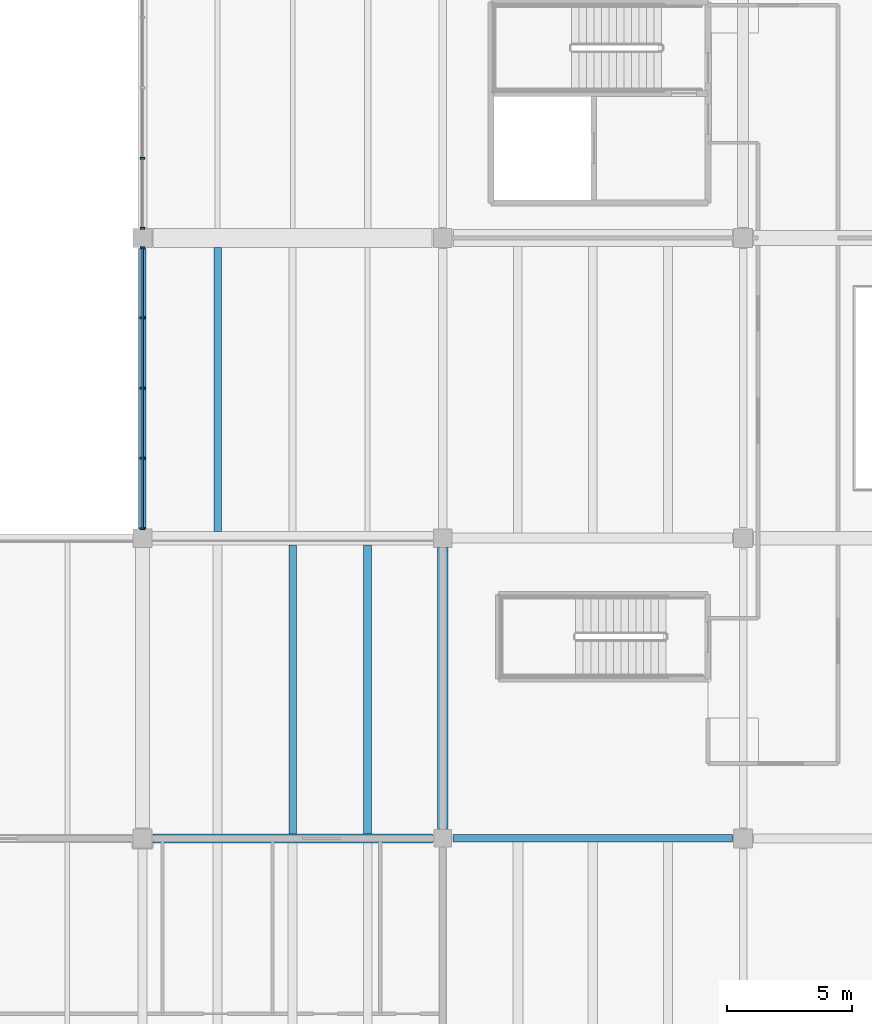
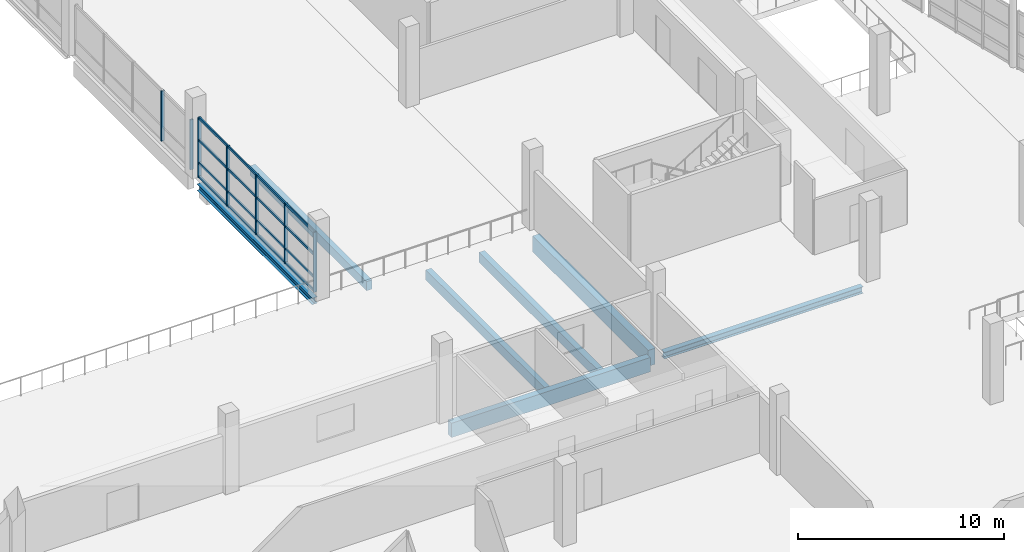
# One storey, part 37 of 112: 11 members, 7 beams, 2 elements without a shape of their own.
"""IFC4 building model written with IfcOpenShell, lengths in metres."""

from ifc_helpers import new_model, si_unit, direction, frame, origin, origin_2d, place, context, subcontext, project, spatial, rectangle, i_section, extrude, material, material_profile, profile_set, type_object, element, aggregate, save


model = new_model("IFC4")

# Units and contexts
model_context = context("Model", 3, precision=1e-05, world=origin(), true_north=direction((0.0, 1.0)))
body_context = subcontext(model_context, "Body", "Model", "MODEL_VIEW")
ifc_project = project(units=[si_unit("LENGTHUNIT", "METRE"), si_unit("AREAUNIT", "SQUARE_METRE"), si_unit("VOLUMEUNIT", "CUBIC_METRE"), si_unit("PLANEANGLEUNIT", "RADIAN"), si_unit("MASSUNIT", "GRAM", prefix="KILO")], contexts=[model_context])

# Site, building, storey
site_placement = place(None, origin())
site = spatial("IfcSite", under=ifc_project, at=site_placement, CompositionType="ELEMENT")
building_placement = place(site_placement, origin())
building = spatial("IfcBuilding", under=site, at=building_placement, Name="Kamomehara Wholesale Market", CompositionType="ELEMENT")
storey_placement = place(building_placement, frame((0.0, 0.0, 6.60009765625)))
storey = spatial("IfcBuildingStorey", under=building, at=storey_placement, Name="L01", CompositionType="ELEMENT", Elevation=6.60009765625)

# Beams
ifc_material_1 = material(Name="Precast concrete Fc45 (C40/50)", Category="concrete")
ifc_material_profile_1 = material_profile(ifc_material_1, rectangle(XDim=0.300048828125, YDim=0.550048828125, at=origin_2d()), Name="PC-JST-300x550")
ifc_profile_set_1 = profile_set([ifc_material_profile_1], Name="Precast concrete Fc45 (C40/50)")
beam_type_1 = type_object("IfcBeamType", Name="BM-PJ550", PredefinedType="JOIST", material=ifc_profile_set_1)
beam_1_placement = place(storey_placement, frame((159.0, 60.27490234375, -0.607177734375), z_axis=(0.0, 1.0, 0.0), x_axis=(-1.0, 0.0, 0.0)))
element("IfcBeam", 1, at=beam_1_placement, inside=storey, type_object=beam_type_1, Name="Beam PJ-06 L01", PredefinedType="JOIST", context=body_context, shape_type="SweptSolid", body=[
    extrude(rectangle(XDim=0.300048828125, YDim=0.550048828125, at=origin_2d()), origin(), (0.0, 0.0, 1.0), 11.35009765625),
])
ifc_material_2 = material(Name="Precast concrete Fc45 (C40/50)", Category="concrete")
ifc_material_profile_2 = material_profile(ifc_material_2, rectangle(XDim=0.320068359375, YDim=0.60009765625, at=origin_2d()), Name="PC-JST-320x600")
ifc_profile_set_2 = profile_set([ifc_material_profile_2], Name="Precast concrete Fc45 (C40/50)")
beam_type_2 = type_object("IfcBeamType", Name="BM-PJ600", PredefinedType="JOIST", material=ifc_profile_set_2)
beam_2_placement = place(storey_placement, frame((165.0, 48.175048828125, -0.647216796875), z_axis=(0.0, 1.0, 0.0), x_axis=(-1.0, 0.0, 0.0)))
element("IfcBeam", 2, at=beam_2_placement, inside=storey, type_object=beam_type_2, Name="Beam PJ-05 L01", PredefinedType="JOIST", context=body_context, shape_type="SweptSolid", body=[
    extrude(rectangle(XDim=0.320068359375, YDim=0.60009765625, at=origin_2d()), origin(), (0.0, 0.0, 1.0), 11.550048828125),
])
ifc_material_3 = material(Name="Precast concrete Fc45 (C40/50)", Category="concrete")
ifc_material_profile_3 = material_profile(ifc_material_3, rectangle(XDim=0.300048828125, YDim=0.60009765625, at=origin_2d()), Name="PC-JST-300x600")
ifc_profile_set_3 = profile_set([ifc_material_profile_3], Name="Precast concrete Fc45 (C40/50)")
beam_type_3 = type_object("IfcBeamType", Name="BM-PJ600B", PredefinedType="JOIST", material=ifc_profile_set_3)
beam_3_placement = place(storey_placement, frame((162.0, 48.175048828125, -0.647216796875), z_axis=(0.0, 1.0, 0.0), x_axis=(-1.0, 0.0, 0.0)))
element("IfcBeam", 3, at=beam_3_placement, inside=storey, type_object=beam_type_3, Name="Beam PJ-10 L01", PredefinedType="JOIST", context=body_context, shape_type="SweptSolid", body=[
    extrude(rectangle(XDim=0.300048828125, YDim=0.60009765625, at=origin_2d()), origin(), (0.0, 0.0, 1.0), 11.550048828125),
])
ifc_material_4 = material(Name="Precast concrete Fc45 (C40/50)", Category="concrete")
ifc_material_profile_4 = material_profile(ifc_material_4, rectangle(XDim=0.35009765625, YDim=0.85009765625, at=origin_2d()), Name="PC-SPN-350x850")
ifc_profile_set_4 = profile_set([ifc_material_profile_4], Name="Precast concrete Fc45 (C40/50)")
beam_type_4 = type_object("IfcBeamType", Name="BM-SPN850-EXT", PredefinedType="SPANDREL", material=ifc_profile_set_4)
beam_4_placement = place(storey_placement, frame((156.425048828125, 48.0, -0.772216796875), z_axis=(1.0, 0.0, 0.0), x_axis=(0.0, 1.0, 0.0)))
element("IfcBeam", 4, at=beam_4_placement, inside=storey, type_object=beam_type_4, Name="Beam SPN-02E L01", PredefinedType="SPANDREL", context=body_context, shape_type="SweptSolid", body=[
    extrude(rectangle(XDim=0.35009765625, YDim=0.85009765625, at=origin_2d()), origin(), (0.0, 0.0, 1.0), 11.175048828125),
])
ifc_material_5 = material(Name="Precast concrete Fc45 (C40/50)", Category="concrete")
ifc_material_profile_5 = material_profile(ifc_material_5, rectangle(XDim=0.39990234375, YDim=0.949951171875, at=origin_2d()), Name="PC-SPN-400x950")
ifc_profile_set_5 = profile_set([ifc_material_profile_5], Name="Precast concrete Fc45 (C40/50)")
beam_type_5 = type_object("IfcBeamType", Name="BM-SPN950-EXT", PredefinedType="SPANDREL", material=ifc_profile_set_5)
beam_5_placement = place(storey_placement, frame((168.0, 48.39990234375, -0.8271484375), z_axis=(0.0, 1.0, 0.0), x_axis=(-1.0, 0.0, 0.0)))
element("IfcBeam", 5, at=beam_5_placement, inside=storey, type_object=beam_type_5, Name="Beam SPN-01E L01", PredefinedType="SPANDREL", context=body_context, shape_type="SweptSolid", body=[
    extrude(rectangle(XDim=0.39990234375, YDim=0.949951171875, at=origin_2d()), origin(), (0.0, 0.0, 1.0), 11.22509765625),
])
ifc_material_6 = material(Name="Steel SN490B", Category="steel")
ifc_material_profile_6 = material_profile(ifc_material_6, i_section(OverallWidth=0.300048828125, OverallDepth=0.389892578125, WebThickness=0.010009765625, FlangeThickness=0.01611328125, FilletRadius=0.01806640625, at=origin_2d()), Name="H-390x300x10x16")
ifc_profile_set_6 = profile_set([ifc_material_profile_6], Name="Steel SN490B")
beam_type_6 = type_object("IfcBeamType", Name="BM-ST-H390-EXT", PredefinedType="SPANDREL", material=ifc_profile_set_6)
beam_6_placement = place(storey_placement, frame((168.39990234375, 48.0, -0.547119140625), z_axis=(1.0, 0.0, 0.0), x_axis=(0.0, 1.0, 0.0)))
element("IfcBeam", 6, at=beam_6_placement, inside=storey, type_object=beam_type_6, Name="Beam SJ-03E L01", PredefinedType="SPANDREL", context=body_context, shape_type="SweptSolid", body=[
    extrude(i_section(OverallWidth=0.300048828125, OverallDepth=0.389892578125, WebThickness=0.010009765625, FlangeThickness=0.01611328125, FilletRadius=0.01806640625, at=origin_2d()), origin(), (0.0, 0.0, 1.0), 11.175048828125),
])
beam_7_placement = place(storey_placement, frame((156.0, 60.375, -0.527099609375), z_axis=(0.0, 1.0, 0.0), x_axis=(-1.0, 0.0, 0.0)))
element("IfcBeam", 7, at=beam_7_placement, inside=storey, type_object=beam_type_6, Name="Beam SJ-03E L01", PredefinedType="SPANDREL", context=body_context, shape_type="SweptSolid", body=[
    extrude(i_section(OverallWidth=0.300048828125, OverallDepth=0.389892578125, WebThickness=0.010009765625, FlangeThickness=0.01611328125, FilletRadius=0.01806640625, at=origin_2d()), origin(), (0.0, 0.0, 1.0), 11.199951171875),
])

# Curtain wall, members
ifc_material_7 = material(Name="Anodised aluminium 6063-T5", Category="aluminium")
curtain_wall_type = type_object("IfcCurtainWallType", Name="CW-UN-01", PredefinedType="NOTDEFINED", material=ifc_material_7)
curtain_wall_1_placement = place(storey_placement, origin())
curtain_wall_1 = element("IfcCurtainWall", 8, at=curtain_wall_1_placement, inside=storey, type_object=curtain_wall_type, Name="Unitised curtain wall CW-192", PredefinedType="NOTDEFINED")
ifc_material_8 = material(Name="Anodised aluminium 6063-T5", Category="aluminium")
ifc_material_profile_7 = material_profile(ifc_material_8, rectangle(XDim=0.074951171875, YDim=0.179931640625, at=origin_2d()), Name="ALU-MUL-75x180")
ifc_profile_set_7 = profile_set([ifc_material_profile_7], Name="Anodised aluminium 6063-T5")
member_type_1 = type_object("IfcMemberType", Name="CW-MUL-180", PredefinedType="MULLION", material=ifc_profile_set_7)
member_1_placement = place(storey_placement, frame((156.0, 60.385009765625, 0.0), z_axis=(0.0, 0.0, 1.0), x_axis=(0.0, 1.0, 0.0)))
member_1 = element("IfcMember", 9, at=member_1_placement, type_object=member_type_1, Name="Mullion CW-192.0", PredefinedType="MULLION", context=body_context, shape_type="SweptSolid", body=[
    extrude(rectangle(XDim=0.074951171875, YDim=0.179931640625, at=origin_2d()), origin(), (0.0, 0.0, 1.0), 3.557861328125),
])
member_2_placement = place(storey_placement, frame((156.0, 63.19189453125, 0.0), z_axis=(0.0, 0.0, 1.0), x_axis=(0.0, 1.0, 0.0)))
member_2 = element("IfcMember", 10, at=member_2_placement, type_object=member_type_1, Name="Mullion CW-192.1", PredefinedType="MULLION", context=body_context, shape_type="SweptSolid", body=[
    extrude(rectangle(XDim=0.074951171875, YDim=0.179931640625, at=origin_2d()), origin(), (0.0, 0.0, 1.0), 3.557861328125),
])
member_3_placement = place(storey_placement, frame((156.0, 66.0, 0.0), z_axis=(0.0, 0.0, 1.0), x_axis=(0.0, 1.0, 0.0)))
member_3 = element("IfcMember", 11, at=member_3_placement, type_object=member_type_1, Name="Mullion CW-192.2", PredefinedType="MULLION", context=body_context, shape_type="SweptSolid", body=[
    extrude(rectangle(XDim=0.074951171875, YDim=0.179931640625, at=origin_2d()), origin(), (0.0, 0.0, 1.0), 3.557861328125),
])
member_4_placement = place(storey_placement, frame((156.0, 68.806884765625, 0.0), z_axis=(0.0, 0.0, 1.0), x_axis=(0.0, 1.0, 0.0)))
member_4 = element("IfcMember", 12, at=member_4_placement, type_object=member_type_1, Name="Mullion CW-192.3", PredefinedType="MULLION", context=body_context, shape_type="SweptSolid", body=[
    extrude(rectangle(XDim=0.074951171875, YDim=0.179931640625, at=origin_2d()), origin(), (0.0, 0.0, 1.0), 3.557861328125),
])
member_5_placement = place(storey_placement, frame((156.0, 71.614990234375, 0.0), z_axis=(0.0, 0.0, 1.0), x_axis=(0.0, 1.0, 0.0)))
member_5 = element("IfcMember", 13, at=member_5_placement, type_object=member_type_1, Name="Mullion CW-192.4", PredefinedType="MULLION", context=body_context, shape_type="SweptSolid", body=[
    extrude(rectangle(XDim=0.074951171875, YDim=0.179931640625, at=origin_2d()), origin(), (0.0, 0.0, 1.0), 3.557861328125),
])

curtain_wall_2_placement = place(storey_placement, origin())
curtain_wall_2 = element("IfcCurtainWall", 14, at=curtain_wall_2_placement, inside=storey, type_object=curtain_wall_type, Name="Unitised curtain wall CW-193", PredefinedType="NOTDEFINED")
member_6_placement = place(storey_placement, frame((156.0, 72.385009765625, 0.0), z_axis=(0.0, 0.0, 1.0), x_axis=(0.0, 1.0, 0.0)))
member_6 = element("IfcMember", 15, at=member_6_placement, type_object=member_type_1, Name="Mullion CW-193.0", PredefinedType="MULLION", context=body_context, shape_type="SweptSolid", body=[
    extrude(rectangle(XDim=0.074951171875, YDim=0.179931640625, at=origin_2d()), origin(), (0.0, 0.0, 1.0), 2.968017578125),
])
member_7_placement = place(storey_placement, frame((156.0, 75.19189453125, 0.0), z_axis=(0.0, 0.0, 1.0), x_axis=(0.0, 1.0, 0.0)))
member_7 = element("IfcMember", 16, at=member_7_placement, type_object=member_type_1, Name="Mullion CW-193.1", PredefinedType="MULLION", context=body_context, shape_type="SweptSolid", body=[
    extrude(rectangle(XDim=0.074951171875, YDim=0.179931640625, at=origin_2d()), origin(), (0.0, 0.0, 1.0), 2.968017578125),
])
aggregate(curtain_wall_2, [member_6, member_7])

# Member
ifc_material_9 = material(Name="Anodised aluminium 6063-T5", Category="aluminium")
ifc_material_profile_8 = material_profile(ifc_material_9, rectangle(XDim=0.074951171875, YDim=0.14990234375, at=origin_2d()), Name="ALU-TRN-75x150")
ifc_profile_set_8 = profile_set([ifc_material_profile_8], Name="Anodised aluminium 6063-T5")
member_type_2 = type_object("IfcMemberType", Name="CW-TRN-150", PredefinedType="USERDEFINED", material=ifc_profile_set_8)
member_8_placement = place(storey_placement, frame((156.0, 60.385009765625, 0.039794921875), z_axis=(0.0, 1.0, 0.0), x_axis=(-1.0, 0.0, 0.0)))
member_8 = element("IfcMember", 17, at=member_8_placement, type_object=member_type_2, Name="Transom CW-192.0", ObjectType="TRANSOM", PredefinedType="USERDEFINED", context=body_context, shape_type="SweptSolid", body=[
    extrude(rectangle(XDim=0.074951171875, YDim=0.14990234375, at=origin_2d()), origin(), (0.0, 0.0, 1.0), 11.22998046875),
])

member_9_placement = place(storey_placement, frame((156.0, 60.385009765625, 0.849853515625), z_axis=(0.0, 1.0, 0.0), x_axis=(-1.0, 0.0, 0.0)))
member_9 = element("IfcMember", 18, at=member_9_placement, type_object=member_type_2, Name="Transom CW-192.1", ObjectType="TRANSOM", PredefinedType="USERDEFINED", context=body_context, shape_type="SweptSolid", body=[
    extrude(rectangle(XDim=0.074951171875, YDim=0.14990234375, at=origin_2d()), origin(), (0.0, 0.0, 1.0), 11.22998046875),
])

member_10_placement = place(storey_placement, frame((156.0, 60.385009765625, 2.203857421875), z_axis=(0.0, 1.0, 0.0), x_axis=(-1.0, 0.0, 0.0)))
member_10 = element("IfcMember", 19, at=member_10_placement, type_object=member_type_2, Name="Transom CW-192.2", ObjectType="TRANSOM", PredefinedType="USERDEFINED", context=body_context, shape_type="SweptSolid", body=[
    extrude(rectangle(XDim=0.074951171875, YDim=0.14990234375, at=origin_2d()), origin(), (0.0, 0.0, 1.0), 11.22998046875),
])

member_11_placement = place(storey_placement, frame((156.0, 60.385009765625, 3.517822265625), z_axis=(0.0, 1.0, 0.0), x_axis=(-1.0, 0.0, 0.0)))
member_11 = element("IfcMember", 20, at=member_11_placement, type_object=member_type_2, Name="Transom CW-192.3", ObjectType="TRANSOM", PredefinedType="USERDEFINED", context=body_context, shape_type="SweptSolid", body=[
    extrude(rectangle(XDim=0.074951171875, YDim=0.14990234375, at=origin_2d()), origin(), (0.0, 0.0, 1.0), 11.22998046875),
])

aggregate(curtain_wall_1, [member_1, member_2, member_3, member_4, member_5, member_8, member_9, member_10, member_11])

save(model, "model.ifc")
